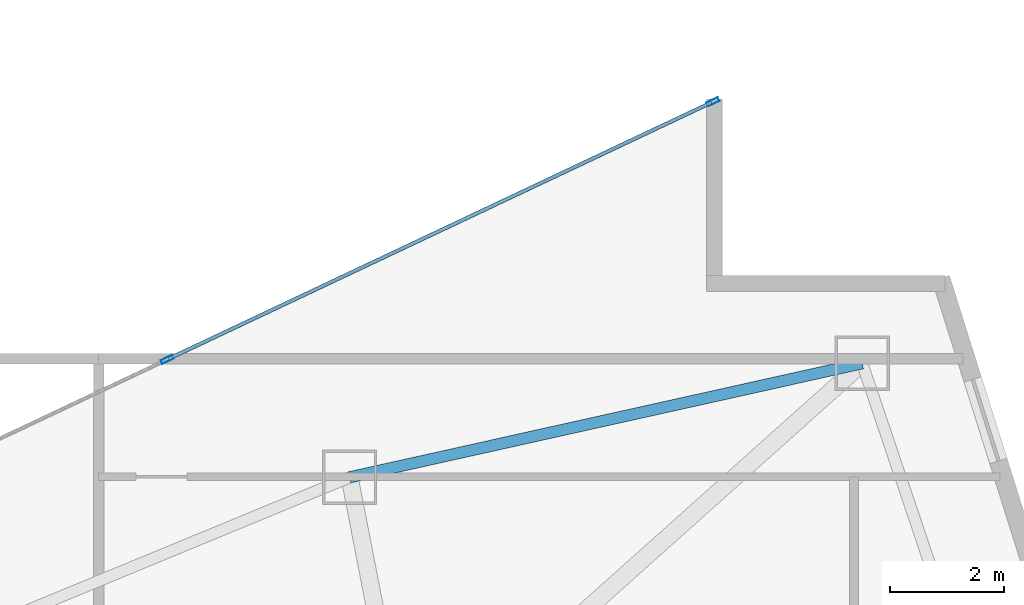
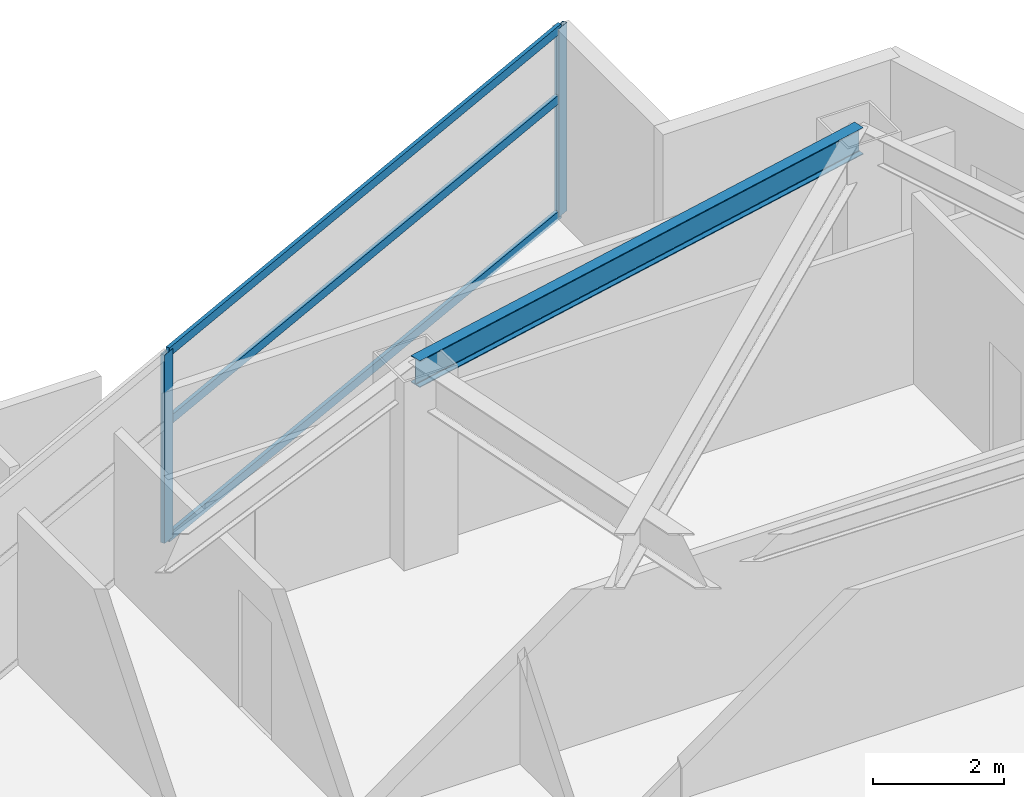
# One storey, part 19 of 28: 5 members, 1 beam, 1 element without a shape of its own.
"""IFC4 building model written with IfcOpenShell, lengths in metres."""

from ifc_helpers import new_model, si_unit, direction, frame, origin, origin_2d, place, context, subcontext, project, spatial, hollow_rectangle, i_section, extrude, material, layer, layer_set, material_profile, profile_set, type_object, element, aggregate, save


model = new_model("IFC4")

# Units and contexts
model_context = context("Model", 3, precision=1e-05, world=origin(), true_north=direction((0.0, 1.0)))
body_context = subcontext(model_context, "Body", "Model", "MODEL_VIEW")
ifc_project = project(units=[si_unit("LENGTHUNIT", "METRE"), si_unit("AREAUNIT", "SQUARE_METRE"), si_unit("VOLUMEUNIT", "CUBIC_METRE"), si_unit("PLANEANGLEUNIT", "RADIAN"), si_unit("MASSUNIT", "GRAM", prefix="KILO")], contexts=[model_context])

# Site, building, storey
site_placement = place(None, origin())
site = spatial("IfcSite", under=ifc_project, at=site_placement, CompositionType="ELEMENT")
building_placement = place(site_placement, origin())
building = spatial("IfcBuilding", under=site, at=building_placement, Name="Calvorn Quay Hotel", CompositionType="ELEMENT")
storey_placement = place(building_placement, frame((0.0, 0.0, 42.199951171875)))
storey = spatial("IfcBuildingStorey", under=building, at=storey_placement, Name="L09", CompositionType="ELEMENT", Elevation=42.199951171875)

# Beam
ifc_material_1 = material(Name="Steel Q355B", Category="steel")
ifc_material_profile_1 = material_profile(ifc_material_1, i_section(OverallWidth=0.199951171875, OverallDepth=0.5, WebThickness=0.010009765625, FlangeThickness=0.01611328125, FilletRadius=0.01611328125, at=origin_2d()), Name="HN500x200x10x16")
ifc_profile_set_1 = profile_set([ifc_material_profile_1], Name="Steel Q355B")
beam_type = type_object("IfcBeamType", Name="BM-SPANDREL-Z1", PredefinedType="SPANDREL", material=ifc_profile_set_1)
beam_placement = place(storey_placement, frame((52.990966796875, 33.39990234375, 3.27001953125), z_axis=(-0.976140886259, -0.217138136156, 0.0), x_axis=(0.217138136156, -0.976140886259, 0.0)))
element("IfcBeam", 1, at=beam_placement, inside=storey, type_object=beam_type, Name="Beam BSP-L09-E3", PredefinedType="SPANDREL", context=body_context, shape_type="SweptSolid", body=[
    extrude(i_section(OverallWidth=0.199951171875, OverallDepth=0.5, WebThickness=0.010009765625, FlangeThickness=0.01611328125, FilletRadius=0.01611328125, at=origin_2d()), origin(), (0.0, 0.0, 1.0), 9.210693359375),
])

# Curtain wall, members
ifc_material_2 = material(Name="Pale Anodised Aluminium and Low-E Glass", Category="aluminium")
ifc_layer = layer(ifc_material_2, 0.219970703125)
ifc_layer_set = layer_set([ifc_layer], Name="CW-SYS-Z1")
curtain_wall_type = type_object("IfcCurtainWallType", Name="CW-SYS-Z1", PredefinedType="NOTDEFINED", material=ifc_layer_set)
curtain_wall_placement = place(storey_placement, origin())
curtain_wall = element("IfcCurtainWall", 2, at=curtain_wall_placement, inside=storey, type_object=curtain_wall_type, Name="Inner Court Curtain Wall L09-NE1", PredefinedType="NOTDEFINED")
ifc_material_3 = material(Name="Pale Anodised Aluminium 6063-T6", Category="aluminium")
ifc_material_profile_2 = material_profile(ifc_material_3, hollow_rectangle(XDim=0.074951171875, YDim=0.219970703125, WallThickness=0.00439453125, at=origin_2d()), Name="ALU-M220x75x4.5")
ifc_profile_set_2 = profile_set([ifc_material_profile_2], Name="Pale Anodised Aluminium 6063-T6")
member_type_1 = type_object("IfcMemberType", Name="CW-SYS-Z1-MUL", PredefinedType="MULLION", material=ifc_profile_set_2)
member_1_placement = place(storey_placement, frame((50.372802734375, 37.9873046875, 0.0), z_axis=(0.0, 0.0, 1.0), x_axis=(0.427006305415, -0.904248646743, 0.0)))
member_1 = element("IfcMember", 3, at=member_1_placement, type_object=member_type_1, Name="CW-L09-NE1 mullion 1", PredefinedType="MULLION", context=body_context, shape_type="SweptSolid", body=[
    extrude(hollow_rectangle(XDim=0.074951171875, YDim=0.219970703125, WallThickness=0.00439453125, at=origin_2d()), origin(), (0.0, 0.0, 1.0), 3.52001953125),
])
member_2_placement = place(storey_placement, frame((40.800048828125, 33.466552734375, 0.0), z_axis=(0.0, 0.0, 1.0), x_axis=(0.427006305415, -0.904248646743, 0.0)))
member_2 = element("IfcMember", 4, at=member_2_placement, type_object=member_type_1, Name="CW-L09-NE1 mullion 2", PredefinedType="MULLION", context=body_context, shape_type="SweptSolid", body=[
    extrude(hollow_rectangle(XDim=0.074951171875, YDim=0.219970703125, WallThickness=0.00439453125, at=origin_2d()), origin(), (0.0, 0.0, 1.0), 3.52001953125),
])
ifc_material_4 = material(Name="Pale Anodised Aluminium 6063-T6", Category="aluminium")
ifc_material_profile_3 = material_profile(ifc_material_4, hollow_rectangle(XDim=0.06494140625, YDim=0.1650390625, WallThickness=0.00341796875, at=origin_2d()), Name="ALU-T165x65x3.5")
ifc_profile_set_3 = profile_set([ifc_material_profile_3], Name="Pale Anodised Aluminium 6063-T6")
member_type_2 = type_object("IfcMemberType", Name="CW-SYS-Z1-TRN", PredefinedType="USERDEFINED", material=ifc_profile_set_3)
member_3_placement = place(storey_placement, frame((50.345703125, 37.974365234375, 0.030029296875), z_axis=(-0.904248646746, -0.427006305408, 0.0), x_axis=(0.427006305408, -0.904248646746, 0.0)))
member_3 = element("IfcMember", 5, at=member_3_placement, type_object=member_type_2, Name="CW-L09-NE1 transom 1.1", ObjectType="TRANSOM", PredefinedType="USERDEFINED", context=body_context, shape_type="SweptSolid", body=[
    extrude(hollow_rectangle(XDim=0.06494140625, YDim=0.1650390625, WallThickness=0.00341796875, at=origin_2d()), origin(), (0.0, 0.0, 1.0), 10.5263671875),
])
member_4_placement = place(storey_placement, frame((50.345703125, 37.974365234375, 2.199951171875), z_axis=(-0.904248646746, -0.427006305408, 0.0), x_axis=(0.427006305408, -0.904248646746, 0.0)))
member_4 = element("IfcMember", 6, at=member_4_placement, type_object=member_type_2, Name="CW-L09-NE1 transom 1.2", ObjectType="TRANSOM", PredefinedType="USERDEFINED", context=body_context, shape_type="SweptSolid", body=[
    extrude(hollow_rectangle(XDim=0.06494140625, YDim=0.1650390625, WallThickness=0.00341796875, at=origin_2d()), origin(), (0.0, 0.0, 1.0), 10.5263671875),
])
member_5_placement = place(storey_placement, frame((50.345703125, 37.974365234375, 3.489990234375), z_axis=(-0.904248646746, -0.427006305408, 0.0), x_axis=(0.427006305408, -0.904248646746, 0.0)))
member_5 = element("IfcMember", 7, at=member_5_placement, type_object=member_type_2, Name="CW-L09-NE1 transom 1.3", ObjectType="TRANSOM", PredefinedType="USERDEFINED", context=body_context, shape_type="SweptSolid", body=[
    extrude(hollow_rectangle(XDim=0.06494140625, YDim=0.1650390625, WallThickness=0.00341796875, at=origin_2d()), origin(), (0.0, 0.0, 1.0), 10.5263671875),
])
aggregate(curtain_wall, [member_1, member_2, member_3, member_4, member_5])

save(model, "model.ifc")
